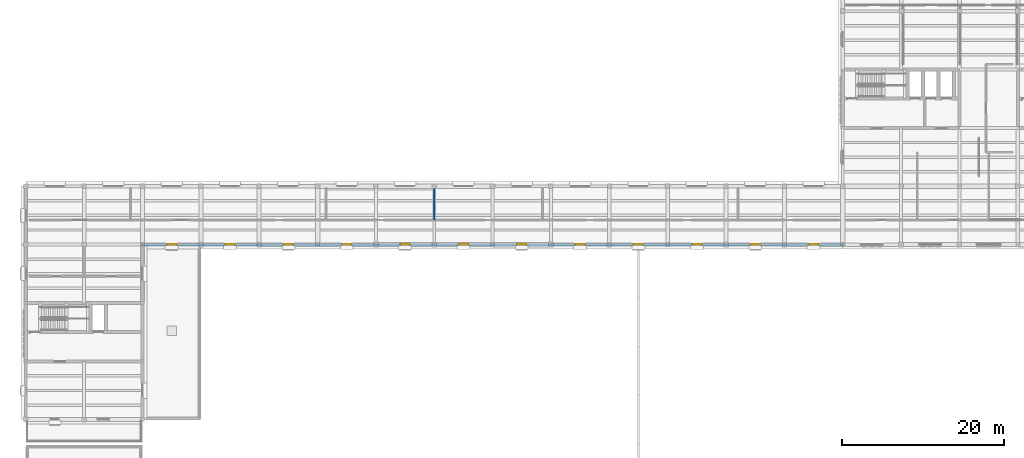
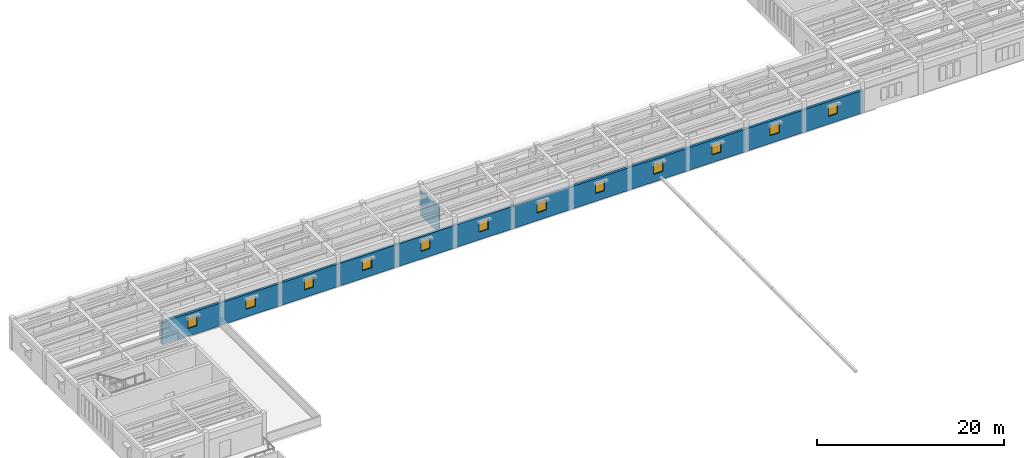
# One storey, part 12 of 27: 12 windows, 2 walls, 12 openings.
"""IFC4 building model written with IfcOpenShell, lengths in metres."""

from ifc_helpers import new_model, si_unit, direction, frame, frame_2d, origin, place, context, subcontext, project, spatial, rectangle, extrude, material, layer, layer_set, type_object, element, fill, save


model = new_model("IFC4")

# Units and contexts
model_context = context("Model", 3, precision=1e-05, world=origin(), true_north=direction((0.0, 1.0)))
body_context = subcontext(model_context, "Body", "Model", "MODEL_VIEW")
ifc_project = project(units=[si_unit("LENGTHUNIT", "METRE"), si_unit("AREAUNIT", "SQUARE_METRE"), si_unit("VOLUMEUNIT", "CUBIC_METRE"), si_unit("PLANEANGLEUNIT", "RADIAN"), si_unit("MASSUNIT", "GRAM", prefix="KILO")], contexts=[model_context])

# Site, building, storey
site_placement = place(None, origin())
site = spatial("IfcSite", under=ifc_project, at=site_placement, CompositionType="ELEMENT")
building_placement = place(site_placement, origin())
building = spatial("IfcBuilding", under=site, at=building_placement, Name="Mithqara Police Headquarters", CompositionType="ELEMENT")
storey_placement = place(building_placement, frame((0.0, 0.0, 18.0)))
storey = spatial("IfcBuildingStorey", under=building, at=storey_placement, Name="L04", CompositionType="ELEMENT", Elevation=18.0)

# Wall, openings, windows
ifc_material_1 = material(Name="Limestone ashlar masonry, 45 MPa", Category="masonry")
ifc_layer_1 = layer(ifc_material_1, 0.320068359375, Name="Limestone ashlar masonry, 45 MPa")
ifc_layer_set_1 = layer_set([ifc_layer_1], Name="Limestone ashlar masonry, 45 MPa")
wall_type_1 = type_object("IfcWallType", Name="EXT WALL LIMESTONE320", PredefinedType="SOLIDWALL", material=ifc_layer_set_1)
wall_1_placement = place(storey_placement, frame((22.0400390625, 78.60009765625, 0.0), z_axis=(0.0, 0.0, 1.0), x_axis=(1.0, 0.0, 0.0)))
wall_1 = element("IfcWall", 1, at=wall_1_placement, inside=storey, type_object=wall_type_1, Name="L04 Exterior Wall 13.1", PredefinedType="SOLIDWALL", context=body_context, shape_type="SweptSolid", body=[
    extrude(rectangle(XDim=86.719970703125, YDim=0.320068359375, at=frame_2d((43.35986328125, 0.0))), origin(), (0.0, 0.0, 1.0), 2.93994140625),
])
opening_1_placement = place(wall_1_placement, frame((3.18505859375, 0.0, 1.0)))
opening_1 = element("IfcOpeningElement", 2, at=opening_1_placement, cuts=wall_1, Name="Opening W-11", PredefinedType="OPENING", context=body_context, shape_type="SweptSolid", body=[
    extrude(rectangle(XDim=1.14990234375, YDim=1.39990234375, at=frame_2d((0.574951171875, 0.699951171875))), frame((0.0, 0.169921875, 0.0), z_axis=(0.0, -1.0, 0.0), x_axis=(1.0, 0.0, 0.0)), (0.0, 0.0, 1.0), 0.340087890625),
])
opening_2_placement = place(wall_1_placement, frame((10.385009765625, 0.0, 1.0)))
opening_2 = element("IfcOpeningElement", 3, at=opening_2_placement, cuts=wall_1, Name="Opening W-11", PredefinedType="OPENING", context=body_context, shape_type="SweptSolid", body=[
    extrude(rectangle(XDim=1.14990234375, YDim=1.39990234375, at=frame_2d((0.574951171875, 0.699951171875))), frame((0.0, 0.169921875, 0.0), z_axis=(0.0, -1.0, 0.0), x_axis=(1.0, 0.0, 0.0)), (0.0, 0.0, 1.0), 0.340087890625),
])
opening_3_placement = place(wall_1_placement, frame((17.5849609375, 0.0, 1.0)))
opening_3 = element("IfcOpeningElement", 4, at=opening_3_placement, cuts=wall_1, Name="Opening W-11", PredefinedType="OPENING", context=body_context, shape_type="SweptSolid", body=[
    extrude(rectangle(XDim=1.14990234375, YDim=1.39990234375, at=frame_2d((0.574951171875, 0.699951171875))), frame((0.0, 0.169921875, 0.0), z_axis=(0.0, -1.0, 0.0), x_axis=(1.0, 0.0, 0.0)), (0.0, 0.0, 1.0), 0.340087890625),
])
opening_4_placement = place(wall_1_placement, frame((24.784912109375, 0.0, 1.0)))
opening_4 = element("IfcOpeningElement", 5, at=opening_4_placement, cuts=wall_1, Name="Opening W-11", PredefinedType="OPENING", context=body_context, shape_type="SweptSolid", body=[
    extrude(rectangle(XDim=1.14990234375, YDim=1.39990234375, at=frame_2d((0.574951171875, 0.699951171875))), frame((0.0, 0.169921875, 0.0), z_axis=(0.0, -1.0, 0.0), x_axis=(1.0, 0.0, 0.0)), (0.0, 0.0, 1.0), 0.340087890625),
])
opening_5_placement = place(wall_1_placement, frame((31.985107421875, 0.0, 1.0)))
opening_5 = element("IfcOpeningElement", 6, at=opening_5_placement, cuts=wall_1, Name="Opening W-11", PredefinedType="OPENING", context=body_context, shape_type="SweptSolid", body=[
    extrude(rectangle(XDim=1.14990234375, YDim=1.39990234375, at=frame_2d((0.574951171875, 0.699951171875))), frame((0.0, 0.169921875, 0.0), z_axis=(0.0, -1.0, 0.0), x_axis=(1.0, 0.0, 0.0)), (0.0, 0.0, 1.0), 0.340087890625),
])
opening_6_placement = place(wall_1_placement, frame((39.18505859375, 0.0, 1.0)))
opening_6 = element("IfcOpeningElement", 7, at=opening_6_placement, cuts=wall_1, Name="Opening W-11", PredefinedType="OPENING", context=body_context, shape_type="SweptSolid", body=[
    extrude(rectangle(XDim=1.14990234375, YDim=1.39990234375, at=frame_2d((0.574951171875, 0.699951171875))), frame((0.0, 0.169921875, 0.0), z_axis=(0.0, -1.0, 0.0), x_axis=(1.0, 0.0, 0.0)), (0.0, 0.0, 1.0), 0.340087890625),
])
opening_7_placement = place(wall_1_placement, frame((46.385009765625, 0.0, 1.0)))
opening_7 = element("IfcOpeningElement", 8, at=opening_7_placement, cuts=wall_1, Name="Opening W-11", PredefinedType="OPENING", context=body_context, shape_type="SweptSolid", body=[
    extrude(rectangle(XDim=1.14990234375, YDim=1.39990234375, at=frame_2d((0.574951171875, 0.699951171875))), frame((0.0, 0.169921875, 0.0), z_axis=(0.0, -1.0, 0.0), x_axis=(1.0, 0.0, 0.0)), (0.0, 0.0, 1.0), 0.340087890625),
])
opening_8_placement = place(wall_1_placement, frame((53.5849609375, 0.0, 1.0)))
opening_8 = element("IfcOpeningElement", 9, at=opening_8_placement, cuts=wall_1, Name="Opening W-11", PredefinedType="OPENING", context=body_context, shape_type="SweptSolid", body=[
    extrude(rectangle(XDim=1.14990234375, YDim=1.39990234375, at=frame_2d((0.574951171875, 0.699951171875))), frame((0.0, 0.169921875, 0.0), z_axis=(0.0, -1.0, 0.0), x_axis=(1.0, 0.0, 0.0)), (0.0, 0.0, 1.0), 0.340087890625),
])
opening_9_placement = place(wall_1_placement, frame((60.784912109375, 0.0, 1.0)))
opening_9 = element("IfcOpeningElement", 10, at=opening_9_placement, cuts=wall_1, Name="Opening W-11", PredefinedType="OPENING", context=body_context, shape_type="SweptSolid", body=[
    extrude(rectangle(XDim=1.14990234375, YDim=1.39990234375, at=frame_2d((0.574951171875, 0.699951171875))), frame((0.0, 0.169921875, 0.0), z_axis=(0.0, -1.0, 0.0), x_axis=(1.0, 0.0, 0.0)), (0.0, 0.0, 1.0), 0.340087890625),
])
opening_10_placement = place(wall_1_placement, frame((67.985107421875, 0.0, 1.0)))
opening_10 = element("IfcOpeningElement", 11, at=opening_10_placement, cuts=wall_1, Name="Opening W-11", PredefinedType="OPENING", context=body_context, shape_type="SweptSolid", body=[
    extrude(rectangle(XDim=1.14990234375, YDim=1.39990234375, at=frame_2d((0.574951171875, 0.699951171875))), frame((0.0, 0.169921875, 0.0), z_axis=(0.0, -1.0, 0.0), x_axis=(1.0, 0.0, 0.0)), (0.0, 0.0, 1.0), 0.340087890625),
])
opening_11_placement = place(wall_1_placement, frame((75.18505859375, 0.0, 1.0)))
opening_11 = element("IfcOpeningElement", 12, at=opening_11_placement, cuts=wall_1, Name="Opening W-11", PredefinedType="OPENING", context=body_context, shape_type="SweptSolid", body=[
    extrude(rectangle(XDim=1.14990234375, YDim=1.39990234375, at=frame_2d((0.574951171875, 0.699951171875))), frame((0.0, 0.169921875, 0.0), z_axis=(0.0, -1.0, 0.0), x_axis=(1.0, 0.0, 0.0)), (0.0, 0.0, 1.0), 0.340087890625),
])
opening_12_placement = place(wall_1_placement, frame((82.385009765625, 0.0, 1.0)))
opening_12 = element("IfcOpeningElement", 13, at=opening_12_placement, cuts=wall_1, Name="Opening W-11", PredefinedType="OPENING", context=body_context, shape_type="SweptSolid", body=[
    extrude(rectangle(XDim=1.14990234375, YDim=1.39990234375, at=frame_2d((0.574951171875, 0.699951171875))), frame((0.0, 0.169921875, 0.0), z_axis=(0.0, -1.0, 0.0), x_axis=(1.0, 0.0, 0.0)), (0.0, 0.0, 1.0), 0.340087890625),
])
ifc_material_2 = material(Name="Spectrally selective double low-e glass", Category="glass")
window_type = type_object("IfcWindowType", Name="WINDOW 1150X1400", PartitioningType="SINGLE_PANEL", PredefinedType="WINDOW", material=ifc_material_2)
window_1_placement = place(opening_1_placement, origin())
window_1 = element("IfcWindow", 14, at=window_1_placement, inside=storey, type_object=window_type, Name="L04 Deep-Set Punched Window 13.1", OverallHeight=1.39990234375, OverallWidth=1.14990234375, PartitioningType="SINGLE_PANEL", PredefinedType="WINDOW", context=body_context, shape_type="SweptSolid", body=[
    extrude(rectangle(XDim=1.14990234375, YDim=1.39990234375, at=frame_2d((0.574951171875, 0.699951171875))), frame((0.0, 0.030029296875, 0.0), z_axis=(0.0, -1.0, 0.0), x_axis=(1.0, 0.0, 0.0)), (0.0, 0.0, 1.0), 0.06005859375),
])
fill(opening_1, window_1)
window_2_placement = place(opening_2_placement, origin())
window_2 = element("IfcWindow", 15, at=window_2_placement, inside=storey, type_object=window_type, Name="L04 Deep-Set Punched Window 13.2", OverallHeight=1.39990234375, OverallWidth=1.14990234375, PartitioningType="SINGLE_PANEL", PredefinedType="WINDOW", context=body_context, shape_type="SweptSolid", body=[
    extrude(rectangle(XDim=1.14990234375, YDim=1.39990234375, at=frame_2d((0.574951171875, 0.699951171875))), frame((0.0, 0.030029296875, 0.0), z_axis=(0.0, -1.0, 0.0), x_axis=(1.0, 0.0, 0.0)), (0.0, 0.0, 1.0), 0.06005859375),
])
fill(opening_2, window_2)
window_3_placement = place(opening_3_placement, origin())
window_3 = element("IfcWindow", 16, at=window_3_placement, inside=storey, type_object=window_type, Name="L04 Deep-Set Punched Window 13.3", OverallHeight=1.39990234375, OverallWidth=1.14990234375, PartitioningType="SINGLE_PANEL", PredefinedType="WINDOW", context=body_context, shape_type="SweptSolid", body=[
    extrude(rectangle(XDim=1.14990234375, YDim=1.39990234375, at=frame_2d((0.574951171875, 0.699951171875))), frame((0.0, 0.030029296875, 0.0), z_axis=(0.0, -1.0, 0.0), x_axis=(1.0, 0.0, 0.0)), (0.0, 0.0, 1.0), 0.06005859375),
])
fill(opening_3, window_3)
window_4_placement = place(opening_4_placement, origin())
window_4 = element("IfcWindow", 17, at=window_4_placement, inside=storey, type_object=window_type, Name="L04 Deep-Set Punched Window 13.4", OverallHeight=1.39990234375, OverallWidth=1.14990234375, PartitioningType="SINGLE_PANEL", PredefinedType="WINDOW", context=body_context, shape_type="SweptSolid", body=[
    extrude(rectangle(XDim=1.14990234375, YDim=1.39990234375, at=frame_2d((0.574951171875, 0.699951171875))), frame((0.0, 0.030029296875, 0.0), z_axis=(0.0, -1.0, 0.0), x_axis=(1.0, 0.0, 0.0)), (0.0, 0.0, 1.0), 0.06005859375),
])
fill(opening_4, window_4)
window_5_placement = place(opening_5_placement, origin())
window_5 = element("IfcWindow", 18, at=window_5_placement, inside=storey, type_object=window_type, Name="L04 Deep-Set Punched Window 13.5", OverallHeight=1.39990234375, OverallWidth=1.14990234375, PartitioningType="SINGLE_PANEL", PredefinedType="WINDOW", context=body_context, shape_type="SweptSolid", body=[
    extrude(rectangle(XDim=1.14990234375, YDim=1.39990234375, at=frame_2d((0.574951171875, 0.699951171875))), frame((0.0, 0.030029296875, 0.0), z_axis=(0.0, -1.0, 0.0), x_axis=(1.0, 0.0, 0.0)), (0.0, 0.0, 1.0), 0.06005859375),
])
fill(opening_5, window_5)
window_6_placement = place(opening_6_placement, origin())
window_6 = element("IfcWindow", 19, at=window_6_placement, inside=storey, type_object=window_type, Name="L04 Deep-Set Punched Window 13.6", OverallHeight=1.39990234375, OverallWidth=1.14990234375, PartitioningType="SINGLE_PANEL", PredefinedType="WINDOW", context=body_context, shape_type="SweptSolid", body=[
    extrude(rectangle(XDim=1.14990234375, YDim=1.39990234375, at=frame_2d((0.574951171875, 0.699951171875))), frame((0.0, 0.030029296875, 0.0), z_axis=(0.0, -1.0, 0.0), x_axis=(1.0, 0.0, 0.0)), (0.0, 0.0, 1.0), 0.06005859375),
])
fill(opening_6, window_6)
window_7_placement = place(opening_7_placement, origin())
window_7 = element("IfcWindow", 20, at=window_7_placement, inside=storey, type_object=window_type, Name="L04 Deep-Set Punched Window 13.7", OverallHeight=1.39990234375, OverallWidth=1.14990234375, PartitioningType="SINGLE_PANEL", PredefinedType="WINDOW", context=body_context, shape_type="SweptSolid", body=[
    extrude(rectangle(XDim=1.14990234375, YDim=1.39990234375, at=frame_2d((0.574951171875, 0.699951171875))), frame((0.0, 0.030029296875, 0.0), z_axis=(0.0, -1.0, 0.0), x_axis=(1.0, 0.0, 0.0)), (0.0, 0.0, 1.0), 0.06005859375),
])
fill(opening_7, window_7)
window_8_placement = place(opening_8_placement, origin())
window_8 = element("IfcWindow", 21, at=window_8_placement, inside=storey, type_object=window_type, Name="L04 Deep-Set Punched Window 13.8", OverallHeight=1.39990234375, OverallWidth=1.14990234375, PartitioningType="SINGLE_PANEL", PredefinedType="WINDOW", context=body_context, shape_type="SweptSolid", body=[
    extrude(rectangle(XDim=1.14990234375, YDim=1.39990234375, at=frame_2d((0.574951171875, 0.699951171875))), frame((0.0, 0.030029296875, 0.0), z_axis=(0.0, -1.0, 0.0), x_axis=(1.0, 0.0, 0.0)), (0.0, 0.0, 1.0), 0.06005859375),
])
fill(opening_8, window_8)
window_9_placement = place(opening_9_placement, origin())
window_9 = element("IfcWindow", 22, at=window_9_placement, inside=storey, type_object=window_type, Name="L04 Deep-Set Punched Window 13.9", OverallHeight=1.39990234375, OverallWidth=1.14990234375, PartitioningType="SINGLE_PANEL", PredefinedType="WINDOW", context=body_context, shape_type="SweptSolid", body=[
    extrude(rectangle(XDim=1.14990234375, YDim=1.39990234375, at=frame_2d((0.574951171875, 0.699951171875))), frame((0.0, 0.030029296875, 0.0), z_axis=(0.0, -1.0, 0.0), x_axis=(1.0, 0.0, 0.0)), (0.0, 0.0, 1.0), 0.06005859375),
])
fill(opening_9, window_9)
window_10_placement = place(opening_10_placement, origin())
window_10 = element("IfcWindow", 23, at=window_10_placement, inside=storey, type_object=window_type, Name="L04 Deep-Set Punched Window 13.10", OverallHeight=1.39990234375, OverallWidth=1.14990234375, PartitioningType="SINGLE_PANEL", PredefinedType="WINDOW", context=body_context, shape_type="SweptSolid", body=[
    extrude(rectangle(XDim=1.14990234375, YDim=1.39990234375, at=frame_2d((0.574951171875, 0.699951171875))), frame((0.0, 0.030029296875, 0.0), z_axis=(0.0, -1.0, 0.0), x_axis=(1.0, 0.0, 0.0)), (0.0, 0.0, 1.0), 0.06005859375),
])
fill(opening_10, window_10)
window_11_placement = place(opening_11_placement, origin())
window_11 = element("IfcWindow", 24, at=window_11_placement, inside=storey, type_object=window_type, Name="L04 Deep-Set Punched Window 13.11", OverallHeight=1.39990234375, OverallWidth=1.14990234375, PartitioningType="SINGLE_PANEL", PredefinedType="WINDOW", context=body_context, shape_type="SweptSolid", body=[
    extrude(rectangle(XDim=1.14990234375, YDim=1.39990234375, at=frame_2d((0.574951171875, 0.699951171875))), frame((0.0, 0.030029296875, 0.0), z_axis=(0.0, -1.0, 0.0), x_axis=(1.0, 0.0, 0.0)), (0.0, 0.0, 1.0), 0.06005859375),
])
fill(opening_11, window_11)
window_12_placement = place(opening_12_placement, origin())
window_12 = element("IfcWindow", 25, at=window_12_placement, inside=storey, type_object=window_type, Name="L04 Deep-Set Punched Window 13.12", OverallHeight=1.39990234375, OverallWidth=1.14990234375, PartitioningType="SINGLE_PANEL", PredefinedType="WINDOW", context=body_context, shape_type="SweptSolid", body=[
    extrude(rectangle(XDim=1.14990234375, YDim=1.39990234375, at=frame_2d((0.574951171875, 0.699951171875))), frame((0.0, 0.030029296875, 0.0), z_axis=(0.0, -1.0, 0.0), x_axis=(1.0, 0.0, 0.0)), (0.0, 0.0, 1.0), 0.06005859375),
])
fill(opening_12, window_12)

# Wall
ifc_material_3 = material(Name="Gypsum acoustic stud partition", Category="gypsum")
ifc_layer_2 = layer(ifc_material_3, 0.159912109375, Name="Gypsum acoustic stud partition")
ifc_layer_set_2 = layer_set([ifc_layer_2], Name="Gypsum acoustic stud partition")
wall_type_2 = type_object("IfcWallType", Name="PART WALL 160", PredefinedType="PARTITIONING", material=ifc_layer_set_2)
wall_2_placement = place(storey_placement, frame((58.199951171875, 81.639892578125, 0.0), z_axis=(0.0, 0.0, 1.0), x_axis=(0.0, 1.0, 0.0)))
element("IfcWall", 26, at=wall_2_placement, inside=storey, type_object=wall_type_2, Name="L04 Room Partition Evidence Review Room", PredefinedType="PARTITIONING", context=body_context, shape_type="SweptSolid", body=[
    extrude(rectangle(XDim=3.980224609375, YDim=0.159912109375, at=frame_2d((1.990234375, 0.0))), origin(), (0.0, 0.0, 1.0), 3.340087890625),
])

save(model, "model.ifc")
